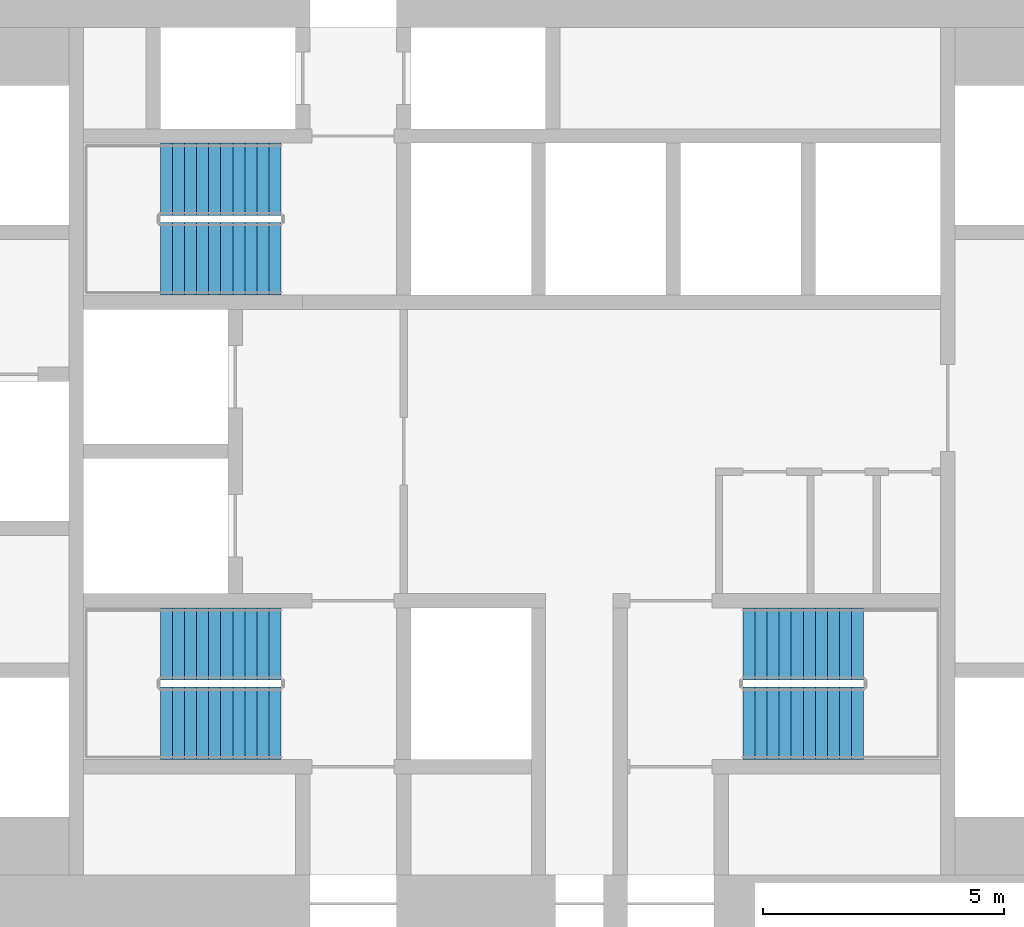
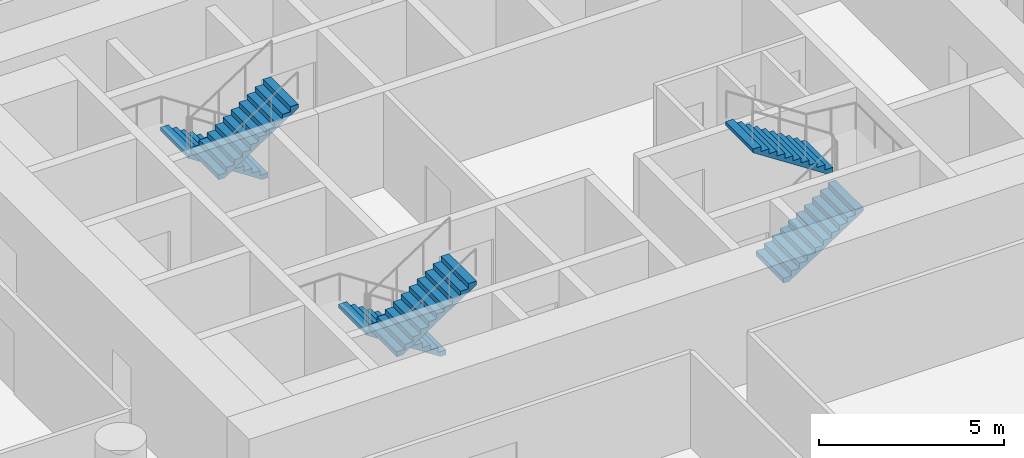
# One storey, part 10 of 11: 6 stair flights, 3 elements without a shape of their own.
"""IFC4 building model written with IfcOpenShell, lengths in metres."""

from ifc_helpers import new_model, si_unit, direction, frame, origin, place, context, subcontext, project, spatial, polyline, outline, extrude, material, type_object, element, aggregate, save


model = new_model("IFC4")

# Units and contexts
model_context = context("Model", 3, precision=1e-05, world=origin(), true_north=direction((0.0, 1.0)))
body_context = subcontext(model_context, "Body", "Model", "MODEL_VIEW")
ifc_project = project(units=[si_unit("LENGTHUNIT", "METRE"), si_unit("AREAUNIT", "SQUARE_METRE"), si_unit("VOLUMEUNIT", "CUBIC_METRE"), si_unit("PLANEANGLEUNIT", "RADIAN"), si_unit("MASSUNIT", "GRAM", prefix="KILO")], contexts=[model_context])

# Site, building, storey
site_placement = place(None, origin())
site = spatial("IfcSite", under=ifc_project, at=site_placement, CompositionType="ELEMENT")
building_placement = place(site_placement, origin())
building = spatial("IfcBuilding", under=site, at=building_placement, Name="Tracery Tower", CompositionType="ELEMENT")
storey_placement = place(building_placement, frame((0.0, 0.0, 67.800048828125)))
storey = spatial("IfcBuildingStorey", under=building, at=storey_placement, Name="L16", CompositionType="ELEMENT", Elevation=67.800048828125)

# Stair, stair flights
ifc_material_1 = material(Name="Concrete C32/40", Category="concrete")
stair_type = type_object("IfcStairType", Name="Core stair 22 risers", PredefinedType="HALF_TURN_STAIR", material=ifc_material_1)
stair_1_placement = place(storey_placement, origin())
stair_1 = element("IfcStair", 1, at=stair_1_placement, inside=storey, type_object=stair_type, Name="L16 stair ST1", PredefinedType="HALF_TURN_STAIR")
ifc_material_2 = material(Name="Concrete C32/40", Category="concrete")
stair_flight_type = type_object("IfcStairFlightType", Name="Core stair flight 11 risers", PredefinedType="STRAIGHT", material=ifc_material_2)
stair_flight_1_placement = place(storey_placement, frame((-4.800048828125, -4.0, 0.0), z_axis=(0.0, 0.0, 1.0), x_axis=(-1.0, 0.0, 0.0)))
stair_flight_1 = element("IfcStairFlight", 2, at=stair_flight_1_placement, type_object=stair_flight_type, Name="ST1 flight 1", NumberOfRisers=11, NumberOfTreads=10, PredefinedType="STRAIGHT", RiserHeight=0.163636364, TreadLength=0.25, context=body_context, shape_type="SweptSolid", body=[
    extrude(outline(polyline([(0.0, 0.0), (0.0, 0.002685546875), (0.0, 0.00537109375), (0.0, 0.008056640625), (0.0, 0.0107421875), (0.0, 0.013427734375), (0.0, 0.01611328125), (0.0, 0.018798828125), (0.0, 0.021484375), (0.0, 0.024169921875), (0.0, 0.02685546875), (0.0, 0.029541015625), (0.0, 0.0322265625), (0.0, 0.034912109375), (0.0, 0.03759765625), (0.0, 0.040283203125), (0.0, 0.04296875), (0.0, 0.045654296875), (0.0, 0.04833984375), (0.0, 0.051025390625), (0.0, 0.0537109375), (0.0, 0.056396484375), (0.0, 0.05908203125), (0.0, 0.061767578125), (0.0, 0.064453125), (0.0, 0.067138671875), (0.0, 0.06982421875), (0.0, 0.072509765625), (0.0, 0.0751953125), (0.0, 0.077880859375), (0.0, 0.08056640625), (0.0, 0.083251953125), (0.0, 0.0859375), (0.0, 0.088623046875), (0.0, 0.09130859375), (0.0, 0.093994140625), (0.0, 0.0966796875), (0.0, 0.099365234375), (0.0, 0.10205078125), (0.0, 0.104736328125), (0.0, 0.107421875), (0.0, 0.10986328125), (0.0, 0.112548828125), (0.0, 0.115234375), (0.0, 0.117919921875), (0.0, 0.12060546875), (0.0, 0.123291015625), (0.0, 0.1259765625), (0.0, 0.128662109375), (0.0, 0.13134765625), (0.0, 0.134033203125), (0.0, 0.13671875), (0.0, 0.139404296875), (0.0, 0.14208984375), (0.0, 0.144775390625), (0.0, 0.1474609375), (0.0, 0.150146484375), (0.0, 0.15283203125), (0.0, 0.155517578125), (0.0, 0.158203125), (0.0, 0.160888671875), (0.0, 0.16357421875), (0.25, 0.16357421875), (0.25, 0.327392578125), (0.5, 0.327392578125), (0.5, 0.490966796875), (0.75, 0.490966796875), (0.75, 0.654541015625), (1.0, 0.654541015625), (1.0, 0.818115234375), (1.25, 0.818115234375), (1.25, 0.98193359375), (1.5, 0.98193359375), (1.5, 1.1455078125), (1.75, 1.1455078125), (1.75, 1.30908203125), (2.0, 1.30908203125), (2.0, 1.47265625), (2.25, 1.47265625), (2.25, 1.636474609375), (2.5, 1.636474609375), (2.5, 1.634521484375), (2.5, 1.63232421875), (2.5, 1.63037109375), (2.5, 1.62841796875), (2.5, 1.62646484375), (2.5, 1.62451171875), (2.5, 1.62255859375), (2.5, 1.62060546875), (2.5, 1.61865234375), (2.5, 1.61669921875), (2.5, 1.61474609375), (2.5, 1.61279296875), (2.5, 1.61083984375), (2.5, 1.60888671875), (2.5, 1.60693359375), (2.5, 1.60498046875), (2.5, 1.60302734375), (2.5, 1.60107421875), (2.5, 1.59912109375), (2.5, 1.59716796875), (2.5, 1.59521484375), (2.5, 1.59326171875), (2.5, 1.59130859375), (2.5, 1.58935546875), (2.5, 1.58740234375), (2.5, 1.58544921875), (2.5, 1.58349609375), (2.5, 1.58154296875), (2.5, 1.57958984375), (2.5, 1.57763671875), (2.5, 1.57568359375), (2.5, 1.573486328125), (2.5, 1.571533203125), (2.5, 1.569580078125), (2.5, 1.567626953125), (2.5, 1.565673828125), (2.5, 1.563720703125), (2.5, 1.561767578125), (2.5, 1.559814453125), (2.5, 1.557861328125), (2.5, 1.555908203125), (2.5, 1.553955078125), (2.5, 1.552001953125), (2.5, 1.550048828125), (2.5, 1.548095703125), (2.5, 1.546142578125), (2.5, 1.544189453125), (2.5, 1.542236328125), (2.5, 1.540283203125), (2.5, 1.538330078125), (2.5, 1.536376953125), (2.5, 1.534423828125), (2.5, 1.532470703125), (2.5, 1.530517578125), (2.5, 1.528564453125), (2.5, 1.526611328125), (2.5, 1.524658203125), (2.5, 1.522705078125), (2.5, 1.520751953125), (2.5, 1.518798828125), (2.5, 1.516845703125), (0.182861328125, 0.0), (0.0, 0.0)])), frame((0.0, 0.75, 0.0), z_axis=(0.0, -1.0, 0.0), x_axis=(1.0, 0.0, 0.0)), (0.0, 0.0, 1.0), 1.5),
])
stair_flight_2_placement = place(storey_placement, frame((-7.300048828125, -5.64990234375, 1.800048828125), z_axis=(0.0, 0.0, 1.0), x_axis=(1.0, 0.0, 0.0)))
stair_flight_2 = element("IfcStairFlight", 3, at=stair_flight_2_placement, type_object=stair_flight_type, Name="ST1 flight 2", NumberOfRisers=11, NumberOfTreads=10, PredefinedType="STRAIGHT", RiserHeight=0.163636364, TreadLength=0.25, context=body_context, shape_type="SweptSolid", body=[
    extrude(outline(polyline([(0.0, 0.0), (0.0, 0.002685546875), (0.0, 0.00537109375), (0.0, 0.008056640625), (0.0, 0.0107421875), (0.0, 0.013427734375), (0.0, 0.01611328125), (0.0, 0.018798828125), (0.0, 0.021484375), (0.0, 0.024169921875), (0.0, 0.02685546875), (0.0, 0.029541015625), (0.0, 0.0322265625), (0.0, 0.034912109375), (0.0, 0.03759765625), (0.0, 0.040283203125), (0.0, 0.04296875), (0.0, 0.045654296875), (0.0, 0.04833984375), (0.0, 0.051025390625), (0.0, 0.0537109375), (0.0, 0.056396484375), (0.0, 0.05908203125), (0.0, 0.061767578125), (0.0, 0.064453125), (0.0, 0.067138671875), (0.0, 0.06982421875), (0.0, 0.072509765625), (0.0, 0.0751953125), (0.0, 0.077880859375), (0.0, 0.08056640625), (0.0, 0.083251953125), (0.0, 0.0859375), (0.0, 0.088623046875), (0.0, 0.09130859375), (0.0, 0.093994140625), (0.0, 0.0966796875), (0.0, 0.099365234375), (0.0, 0.10205078125), (0.0, 0.104736328125), (0.0, 0.107421875), (0.0, 0.10986328125), (0.0, 0.112548828125), (0.0, 0.115234375), (0.0, 0.117919921875), (0.0, 0.12060546875), (0.0, 0.123291015625), (0.0, 0.1259765625), (0.0, 0.128662109375), (0.0, 0.13134765625), (0.0, 0.134033203125), (0.0, 0.13671875), (0.0, 0.139404296875), (0.0, 0.14208984375), (0.0, 0.144775390625), (0.0, 0.1474609375), (0.0, 0.150146484375), (0.0, 0.15283203125), (0.0, 0.155517578125), (0.0, 0.158203125), (0.0, 0.160888671875), (0.0, 0.16357421875), (0.25, 0.16357421875), (0.25, 0.327392578125), (0.5, 0.327392578125), (0.5, 0.490966796875), (0.75, 0.490966796875), (0.75, 0.654541015625), (1.0, 0.654541015625), (1.0, 0.818115234375), (1.25, 0.818115234375), (1.25, 0.98193359375), (1.5, 0.98193359375), (1.5, 1.1455078125), (1.75, 1.1455078125), (1.75, 1.30908203125), (2.0, 1.30908203125), (2.0, 1.47265625), (2.25, 1.47265625), (2.25, 1.636474609375), (2.5, 1.636474609375), (2.5, 1.634521484375), (2.5, 1.63232421875), (2.5, 1.63037109375), (2.5, 1.62841796875), (2.5, 1.62646484375), (2.5, 1.62451171875), (2.5, 1.62255859375), (2.5, 1.62060546875), (2.5, 1.61865234375), (2.5, 1.61669921875), (2.5, 1.61474609375), (2.5, 1.61279296875), (2.5, 1.61083984375), (2.5, 1.60888671875), (2.5, 1.60693359375), (2.5, 1.60498046875), (2.5, 1.60302734375), (2.5, 1.60107421875), (2.5, 1.59912109375), (2.5, 1.59716796875), (2.5, 1.59521484375), (2.5, 1.59326171875), (2.5, 1.59130859375), (2.5, 1.58935546875), (2.5, 1.58740234375), (2.5, 1.58544921875), (2.5, 1.58349609375), (2.5, 1.58154296875), (2.5, 1.57958984375), (2.5, 1.57763671875), (2.5, 1.57568359375), (2.5, 1.573486328125), (2.5, 1.571533203125), (2.5, 1.569580078125), (2.5, 1.567626953125), (2.5, 1.565673828125), (2.5, 1.563720703125), (2.5, 1.561767578125), (2.5, 1.559814453125), (2.5, 1.557861328125), (2.5, 1.555908203125), (2.5, 1.553955078125), (2.5, 1.552001953125), (2.5, 1.550048828125), (2.5, 1.548095703125), (2.5, 1.546142578125), (2.5, 1.544189453125), (2.5, 1.542236328125), (2.5, 1.540283203125), (2.5, 1.538330078125), (2.5, 1.536376953125), (2.5, 1.534423828125), (2.5, 1.532470703125), (2.5, 1.530517578125), (2.5, 1.528564453125), (2.5, 1.526611328125), (2.5, 1.524658203125), (2.5, 1.522705078125), (2.5, 1.520751953125), (2.5, 1.518798828125), (2.5, 1.516845703125), (0.182861328125, 0.0), (0.0, 0.0)])), frame((0.0, 0.75, 0.0), z_axis=(0.0, -1.0, 0.0), x_axis=(1.0, 0.0, 0.0)), (0.0, 0.0, 1.0), 1.5),
])
aggregate(stair_1, [stair_flight_1, stair_flight_2])

stair_2_placement = place(storey_placement, origin())
stair_2 = element("IfcStair", 4, at=stair_2_placement, inside=storey, type_object=stair_type, Name="L16 stair ST3", PredefinedType="HALF_TURN_STAIR")
stair_flight_3_placement = place(storey_placement, frame((-4.800048828125, 5.64990234375, 0.0), z_axis=(0.0, 0.0, 1.0), x_axis=(-1.0, 0.0, 0.0)))
stair_flight_3 = element("IfcStairFlight", 5, at=stair_flight_3_placement, type_object=stair_flight_type, Name="ST3 flight 1", NumberOfRisers=11, NumberOfTreads=10, PredefinedType="STRAIGHT", RiserHeight=0.163636364, TreadLength=0.25, context=body_context, shape_type="SweptSolid", body=[
    extrude(outline(polyline([(0.0, 0.0), (0.0, 0.002685546875), (0.0, 0.00537109375), (0.0, 0.008056640625), (0.0, 0.0107421875), (0.0, 0.013427734375), (0.0, 0.01611328125), (0.0, 0.018798828125), (0.0, 0.021484375), (0.0, 0.024169921875), (0.0, 0.02685546875), (0.0, 0.029541015625), (0.0, 0.0322265625), (0.0, 0.034912109375), (0.0, 0.03759765625), (0.0, 0.040283203125), (0.0, 0.04296875), (0.0, 0.045654296875), (0.0, 0.04833984375), (0.0, 0.051025390625), (0.0, 0.0537109375), (0.0, 0.056396484375), (0.0, 0.05908203125), (0.0, 0.061767578125), (0.0, 0.064453125), (0.0, 0.067138671875), (0.0, 0.06982421875), (0.0, 0.072509765625), (0.0, 0.0751953125), (0.0, 0.077880859375), (0.0, 0.08056640625), (0.0, 0.083251953125), (0.0, 0.0859375), (0.0, 0.088623046875), (0.0, 0.09130859375), (0.0, 0.093994140625), (0.0, 0.0966796875), (0.0, 0.099365234375), (0.0, 0.10205078125), (0.0, 0.104736328125), (0.0, 0.107421875), (0.0, 0.10986328125), (0.0, 0.112548828125), (0.0, 0.115234375), (0.0, 0.117919921875), (0.0, 0.12060546875), (0.0, 0.123291015625), (0.0, 0.1259765625), (0.0, 0.128662109375), (0.0, 0.13134765625), (0.0, 0.134033203125), (0.0, 0.13671875), (0.0, 0.139404296875), (0.0, 0.14208984375), (0.0, 0.144775390625), (0.0, 0.1474609375), (0.0, 0.150146484375), (0.0, 0.15283203125), (0.0, 0.155517578125), (0.0, 0.158203125), (0.0, 0.160888671875), (0.0, 0.16357421875), (0.25, 0.16357421875), (0.25, 0.327392578125), (0.5, 0.327392578125), (0.5, 0.490966796875), (0.75, 0.490966796875), (0.75, 0.654541015625), (1.0, 0.654541015625), (1.0, 0.818115234375), (1.25, 0.818115234375), (1.25, 0.98193359375), (1.5, 0.98193359375), (1.5, 1.1455078125), (1.75, 1.1455078125), (1.75, 1.30908203125), (2.0, 1.30908203125), (2.0, 1.47265625), (2.25, 1.47265625), (2.25, 1.636474609375), (2.5, 1.636474609375), (2.5, 1.634521484375), (2.5, 1.63232421875), (2.5, 1.63037109375), (2.5, 1.62841796875), (2.5, 1.62646484375), (2.5, 1.62451171875), (2.5, 1.62255859375), (2.5, 1.62060546875), (2.5, 1.61865234375), (2.5, 1.61669921875), (2.5, 1.61474609375), (2.5, 1.61279296875), (2.5, 1.61083984375), (2.5, 1.60888671875), (2.5, 1.60693359375), (2.5, 1.60498046875), (2.5, 1.60302734375), (2.5, 1.60107421875), (2.5, 1.59912109375), (2.5, 1.59716796875), (2.5, 1.59521484375), (2.5, 1.59326171875), (2.5, 1.59130859375), (2.5, 1.58935546875), (2.5, 1.58740234375), (2.5, 1.58544921875), (2.5, 1.58349609375), (2.5, 1.58154296875), (2.5, 1.57958984375), (2.5, 1.57763671875), (2.5, 1.57568359375), (2.5, 1.573486328125), (2.5, 1.571533203125), (2.5, 1.569580078125), (2.5, 1.567626953125), (2.5, 1.565673828125), (2.5, 1.563720703125), (2.5, 1.561767578125), (2.5, 1.559814453125), (2.5, 1.557861328125), (2.5, 1.555908203125), (2.5, 1.553955078125), (2.5, 1.552001953125), (2.5, 1.550048828125), (2.5, 1.548095703125), (2.5, 1.546142578125), (2.5, 1.544189453125), (2.5, 1.542236328125), (2.5, 1.540283203125), (2.5, 1.538330078125), (2.5, 1.536376953125), (2.5, 1.534423828125), (2.5, 1.532470703125), (2.5, 1.530517578125), (2.5, 1.528564453125), (2.5, 1.526611328125), (2.5, 1.524658203125), (2.5, 1.522705078125), (2.5, 1.520751953125), (2.5, 1.518798828125), (2.5, 1.516845703125), (0.182861328125, 0.0), (0.0, 0.0)])), frame((0.0, 0.75, 0.0), z_axis=(0.0, -1.0, 0.0), x_axis=(1.0, 0.0, 0.0)), (0.0, 0.0, 1.0), 1.5),
])
stair_flight_4_placement = place(storey_placement, frame((-7.300048828125, 4.0, 1.800048828125), z_axis=(0.0, 0.0, 1.0), x_axis=(1.0, 0.0, 0.0)))
stair_flight_4 = element("IfcStairFlight", 6, at=stair_flight_4_placement, type_object=stair_flight_type, Name="ST3 flight 2", NumberOfRisers=11, NumberOfTreads=10, PredefinedType="STRAIGHT", RiserHeight=0.163636364, TreadLength=0.25, context=body_context, shape_type="SweptSolid", body=[
    extrude(outline(polyline([(0.0, 0.0), (0.0, 0.002685546875), (0.0, 0.00537109375), (0.0, 0.008056640625), (0.0, 0.0107421875), (0.0, 0.013427734375), (0.0, 0.01611328125), (0.0, 0.018798828125), (0.0, 0.021484375), (0.0, 0.024169921875), (0.0, 0.02685546875), (0.0, 0.029541015625), (0.0, 0.0322265625), (0.0, 0.034912109375), (0.0, 0.03759765625), (0.0, 0.040283203125), (0.0, 0.04296875), (0.0, 0.045654296875), (0.0, 0.04833984375), (0.0, 0.051025390625), (0.0, 0.0537109375), (0.0, 0.056396484375), (0.0, 0.05908203125), (0.0, 0.061767578125), (0.0, 0.064453125), (0.0, 0.067138671875), (0.0, 0.06982421875), (0.0, 0.072509765625), (0.0, 0.0751953125), (0.0, 0.077880859375), (0.0, 0.08056640625), (0.0, 0.083251953125), (0.0, 0.0859375), (0.0, 0.088623046875), (0.0, 0.09130859375), (0.0, 0.093994140625), (0.0, 0.0966796875), (0.0, 0.099365234375), (0.0, 0.10205078125), (0.0, 0.104736328125), (0.0, 0.107421875), (0.0, 0.10986328125), (0.0, 0.112548828125), (0.0, 0.115234375), (0.0, 0.117919921875), (0.0, 0.12060546875), (0.0, 0.123291015625), (0.0, 0.1259765625), (0.0, 0.128662109375), (0.0, 0.13134765625), (0.0, 0.134033203125), (0.0, 0.13671875), (0.0, 0.139404296875), (0.0, 0.14208984375), (0.0, 0.144775390625), (0.0, 0.1474609375), (0.0, 0.150146484375), (0.0, 0.15283203125), (0.0, 0.155517578125), (0.0, 0.158203125), (0.0, 0.160888671875), (0.0, 0.16357421875), (0.25, 0.16357421875), (0.25, 0.327392578125), (0.5, 0.327392578125), (0.5, 0.490966796875), (0.75, 0.490966796875), (0.75, 0.654541015625), (1.0, 0.654541015625), (1.0, 0.818115234375), (1.25, 0.818115234375), (1.25, 0.98193359375), (1.5, 0.98193359375), (1.5, 1.1455078125), (1.75, 1.1455078125), (1.75, 1.30908203125), (2.0, 1.30908203125), (2.0, 1.47265625), (2.25, 1.47265625), (2.25, 1.636474609375), (2.5, 1.636474609375), (2.5, 1.634521484375), (2.5, 1.63232421875), (2.5, 1.63037109375), (2.5, 1.62841796875), (2.5, 1.62646484375), (2.5, 1.62451171875), (2.5, 1.62255859375), (2.5, 1.62060546875), (2.5, 1.61865234375), (2.5, 1.61669921875), (2.5, 1.61474609375), (2.5, 1.61279296875), (2.5, 1.61083984375), (2.5, 1.60888671875), (2.5, 1.60693359375), (2.5, 1.60498046875), (2.5, 1.60302734375), (2.5, 1.60107421875), (2.5, 1.59912109375), (2.5, 1.59716796875), (2.5, 1.59521484375), (2.5, 1.59326171875), (2.5, 1.59130859375), (2.5, 1.58935546875), (2.5, 1.58740234375), (2.5, 1.58544921875), (2.5, 1.58349609375), (2.5, 1.58154296875), (2.5, 1.57958984375), (2.5, 1.57763671875), (2.5, 1.57568359375), (2.5, 1.573486328125), (2.5, 1.571533203125), (2.5, 1.569580078125), (2.5, 1.567626953125), (2.5, 1.565673828125), (2.5, 1.563720703125), (2.5, 1.561767578125), (2.5, 1.559814453125), (2.5, 1.557861328125), (2.5, 1.555908203125), (2.5, 1.553955078125), (2.5, 1.552001953125), (2.5, 1.550048828125), (2.5, 1.548095703125), (2.5, 1.546142578125), (2.5, 1.544189453125), (2.5, 1.542236328125), (2.5, 1.540283203125), (2.5, 1.538330078125), (2.5, 1.536376953125), (2.5, 1.534423828125), (2.5, 1.532470703125), (2.5, 1.530517578125), (2.5, 1.528564453125), (2.5, 1.526611328125), (2.5, 1.524658203125), (2.5, 1.522705078125), (2.5, 1.520751953125), (2.5, 1.518798828125), (2.5, 1.516845703125), (0.182861328125, 0.0), (0.0, 0.0)])), frame((0.0, 0.75, 0.0), z_axis=(0.0, -1.0, 0.0), x_axis=(1.0, 0.0, 0.0)), (0.0, 0.0, 1.0), 1.5),
])
aggregate(stair_2, [stair_flight_3, stair_flight_4])

stair_3_placement = place(storey_placement, origin())
stair_3 = element("IfcStair", 7, at=stair_3_placement, inside=storey, type_object=stair_type, Name="L16 stair ST2", PredefinedType="HALF_TURN_STAIR")
stair_flight_5_placement = place(storey_placement, frame((4.800048828125, -5.64990234375, 0.0), z_axis=(0.0, 0.0, 1.0), x_axis=(1.0, 0.0, 0.0)))
stair_flight_5 = element("IfcStairFlight", 8, at=stair_flight_5_placement, type_object=stair_flight_type, Name="ST2 flight 1", NumberOfRisers=11, NumberOfTreads=10, PredefinedType="STRAIGHT", RiserHeight=0.163636364, TreadLength=0.25, context=body_context, shape_type="SweptSolid", body=[
    extrude(outline(polyline([(0.0, 0.0), (0.0, 0.002685546875), (0.0, 0.00537109375), (0.0, 0.008056640625), (0.0, 0.0107421875), (0.0, 0.013427734375), (0.0, 0.01611328125), (0.0, 0.018798828125), (0.0, 0.021484375), (0.0, 0.024169921875), (0.0, 0.02685546875), (0.0, 0.029541015625), (0.0, 0.0322265625), (0.0, 0.034912109375), (0.0, 0.03759765625), (0.0, 0.040283203125), (0.0, 0.04296875), (0.0, 0.045654296875), (0.0, 0.04833984375), (0.0, 0.051025390625), (0.0, 0.0537109375), (0.0, 0.056396484375), (0.0, 0.05908203125), (0.0, 0.061767578125), (0.0, 0.064453125), (0.0, 0.067138671875), (0.0, 0.06982421875), (0.0, 0.072509765625), (0.0, 0.0751953125), (0.0, 0.077880859375), (0.0, 0.08056640625), (0.0, 0.083251953125), (0.0, 0.0859375), (0.0, 0.088623046875), (0.0, 0.09130859375), (0.0, 0.093994140625), (0.0, 0.0966796875), (0.0, 0.099365234375), (0.0, 0.10205078125), (0.0, 0.104736328125), (0.0, 0.107421875), (0.0, 0.10986328125), (0.0, 0.112548828125), (0.0, 0.115234375), (0.0, 0.117919921875), (0.0, 0.12060546875), (0.0, 0.123291015625), (0.0, 0.1259765625), (0.0, 0.128662109375), (0.0, 0.13134765625), (0.0, 0.134033203125), (0.0, 0.13671875), (0.0, 0.139404296875), (0.0, 0.14208984375), (0.0, 0.144775390625), (0.0, 0.1474609375), (0.0, 0.150146484375), (0.0, 0.15283203125), (0.0, 0.155517578125), (0.0, 0.158203125), (0.0, 0.160888671875), (0.0, 0.16357421875), (0.25, 0.16357421875), (0.25, 0.327392578125), (0.5, 0.327392578125), (0.5, 0.490966796875), (0.75, 0.490966796875), (0.75, 0.654541015625), (1.0, 0.654541015625), (1.0, 0.818115234375), (1.25, 0.818115234375), (1.25, 0.98193359375), (1.5, 0.98193359375), (1.5, 1.1455078125), (1.75, 1.1455078125), (1.75, 1.30908203125), (2.0, 1.30908203125), (2.0, 1.47265625), (2.25, 1.47265625), (2.25, 1.636474609375), (2.5, 1.636474609375), (2.5, 1.634521484375), (2.5, 1.63232421875), (2.5, 1.63037109375), (2.5, 1.62841796875), (2.5, 1.62646484375), (2.5, 1.62451171875), (2.5, 1.62255859375), (2.5, 1.62060546875), (2.5, 1.61865234375), (2.5, 1.61669921875), (2.5, 1.61474609375), (2.5, 1.61279296875), (2.5, 1.61083984375), (2.5, 1.60888671875), (2.5, 1.60693359375), (2.5, 1.60498046875), (2.5, 1.60302734375), (2.5, 1.60107421875), (2.5, 1.59912109375), (2.5, 1.59716796875), (2.5, 1.59521484375), (2.5, 1.59326171875), (2.5, 1.59130859375), (2.5, 1.58935546875), (2.5, 1.58740234375), (2.5, 1.58544921875), (2.5, 1.58349609375), (2.5, 1.58154296875), (2.5, 1.57958984375), (2.5, 1.57763671875), (2.5, 1.57568359375), (2.5, 1.573486328125), (2.5, 1.571533203125), (2.5, 1.569580078125), (2.5, 1.567626953125), (2.5, 1.565673828125), (2.5, 1.563720703125), (2.5, 1.561767578125), (2.5, 1.559814453125), (2.5, 1.557861328125), (2.5, 1.555908203125), (2.5, 1.553955078125), (2.5, 1.552001953125), (2.5, 1.550048828125), (2.5, 1.548095703125), (2.5, 1.546142578125), (2.5, 1.544189453125), (2.5, 1.542236328125), (2.5, 1.540283203125), (2.5, 1.538330078125), (2.5, 1.536376953125), (2.5, 1.534423828125), (2.5, 1.532470703125), (2.5, 1.530517578125), (2.5, 1.528564453125), (2.5, 1.526611328125), (2.5, 1.524658203125), (2.5, 1.522705078125), (2.5, 1.520751953125), (2.5, 1.518798828125), (2.5, 1.516845703125), (0.182861328125, 0.0), (0.0, 0.0)])), frame((0.0, 0.75, 0.0), z_axis=(0.0, -1.0, 0.0), x_axis=(1.0, 0.0, 0.0)), (0.0, 0.0, 1.0), 1.5),
])
stair_flight_6_placement = place(storey_placement, frame((7.300048828125, -4.0, 1.800048828125), z_axis=(0.0, 0.0, 1.0), x_axis=(-1.0, 0.0, 0.0)))
stair_flight_6 = element("IfcStairFlight", 9, at=stair_flight_6_placement, type_object=stair_flight_type, Name="ST2 flight 2", NumberOfRisers=11, NumberOfTreads=10, PredefinedType="STRAIGHT", RiserHeight=0.163636364, TreadLength=0.25, context=body_context, shape_type="SweptSolid", body=[
    extrude(outline(polyline([(0.0, 0.0), (0.0, 0.002685546875), (0.0, 0.00537109375), (0.0, 0.008056640625), (0.0, 0.0107421875), (0.0, 0.013427734375), (0.0, 0.01611328125), (0.0, 0.018798828125), (0.0, 0.021484375), (0.0, 0.024169921875), (0.0, 0.02685546875), (0.0, 0.029541015625), (0.0, 0.0322265625), (0.0, 0.034912109375), (0.0, 0.03759765625), (0.0, 0.040283203125), (0.0, 0.04296875), (0.0, 0.045654296875), (0.0, 0.04833984375), (0.0, 0.051025390625), (0.0, 0.0537109375), (0.0, 0.056396484375), (0.0, 0.05908203125), (0.0, 0.061767578125), (0.0, 0.064453125), (0.0, 0.067138671875), (0.0, 0.06982421875), (0.0, 0.072509765625), (0.0, 0.0751953125), (0.0, 0.077880859375), (0.0, 0.08056640625), (0.0, 0.083251953125), (0.0, 0.0859375), (0.0, 0.088623046875), (0.0, 0.09130859375), (0.0, 0.093994140625), (0.0, 0.0966796875), (0.0, 0.099365234375), (0.0, 0.10205078125), (0.0, 0.104736328125), (0.0, 0.107421875), (0.0, 0.10986328125), (0.0, 0.112548828125), (0.0, 0.115234375), (0.0, 0.117919921875), (0.0, 0.12060546875), (0.0, 0.123291015625), (0.0, 0.1259765625), (0.0, 0.128662109375), (0.0, 0.13134765625), (0.0, 0.134033203125), (0.0, 0.13671875), (0.0, 0.139404296875), (0.0, 0.14208984375), (0.0, 0.144775390625), (0.0, 0.1474609375), (0.0, 0.150146484375), (0.0, 0.15283203125), (0.0, 0.155517578125), (0.0, 0.158203125), (0.0, 0.160888671875), (0.0, 0.16357421875), (0.25, 0.16357421875), (0.25, 0.327392578125), (0.5, 0.327392578125), (0.5, 0.490966796875), (0.75, 0.490966796875), (0.75, 0.654541015625), (1.0, 0.654541015625), (1.0, 0.818115234375), (1.25, 0.818115234375), (1.25, 0.98193359375), (1.5, 0.98193359375), (1.5, 1.1455078125), (1.75, 1.1455078125), (1.75, 1.30908203125), (2.0, 1.30908203125), (2.0, 1.47265625), (2.25, 1.47265625), (2.25, 1.636474609375), (2.5, 1.636474609375), (2.5, 1.634521484375), (2.5, 1.63232421875), (2.5, 1.63037109375), (2.5, 1.62841796875), (2.5, 1.62646484375), (2.5, 1.62451171875), (2.5, 1.62255859375), (2.5, 1.62060546875), (2.5, 1.61865234375), (2.5, 1.61669921875), (2.5, 1.61474609375), (2.5, 1.61279296875), (2.5, 1.61083984375), (2.5, 1.60888671875), (2.5, 1.60693359375), (2.5, 1.60498046875), (2.5, 1.60302734375), (2.5, 1.60107421875), (2.5, 1.59912109375), (2.5, 1.59716796875), (2.5, 1.59521484375), (2.5, 1.59326171875), (2.5, 1.59130859375), (2.5, 1.58935546875), (2.5, 1.58740234375), (2.5, 1.58544921875), (2.5, 1.58349609375), (2.5, 1.58154296875), (2.5, 1.57958984375), (2.5, 1.57763671875), (2.5, 1.57568359375), (2.5, 1.573486328125), (2.5, 1.571533203125), (2.5, 1.569580078125), (2.5, 1.567626953125), (2.5, 1.565673828125), (2.5, 1.563720703125), (2.5, 1.561767578125), (2.5, 1.559814453125), (2.5, 1.557861328125), (2.5, 1.555908203125), (2.5, 1.553955078125), (2.5, 1.552001953125), (2.5, 1.550048828125), (2.5, 1.548095703125), (2.5, 1.546142578125), (2.5, 1.544189453125), (2.5, 1.542236328125), (2.5, 1.540283203125), (2.5, 1.538330078125), (2.5, 1.536376953125), (2.5, 1.534423828125), (2.5, 1.532470703125), (2.5, 1.530517578125), (2.5, 1.528564453125), (2.5, 1.526611328125), (2.5, 1.524658203125), (2.5, 1.522705078125), (2.5, 1.520751953125), (2.5, 1.518798828125), (2.5, 1.516845703125), (0.182861328125, 0.0), (0.0, 0.0)])), frame((0.0, 0.75, 0.0), z_axis=(0.0, -1.0, 0.0), x_axis=(1.0, 0.0, 0.0)), (0.0, 0.0, 1.0), 1.5),
])
aggregate(stair_3, [stair_flight_5, stair_flight_6])

save(model, "model.ifc")
